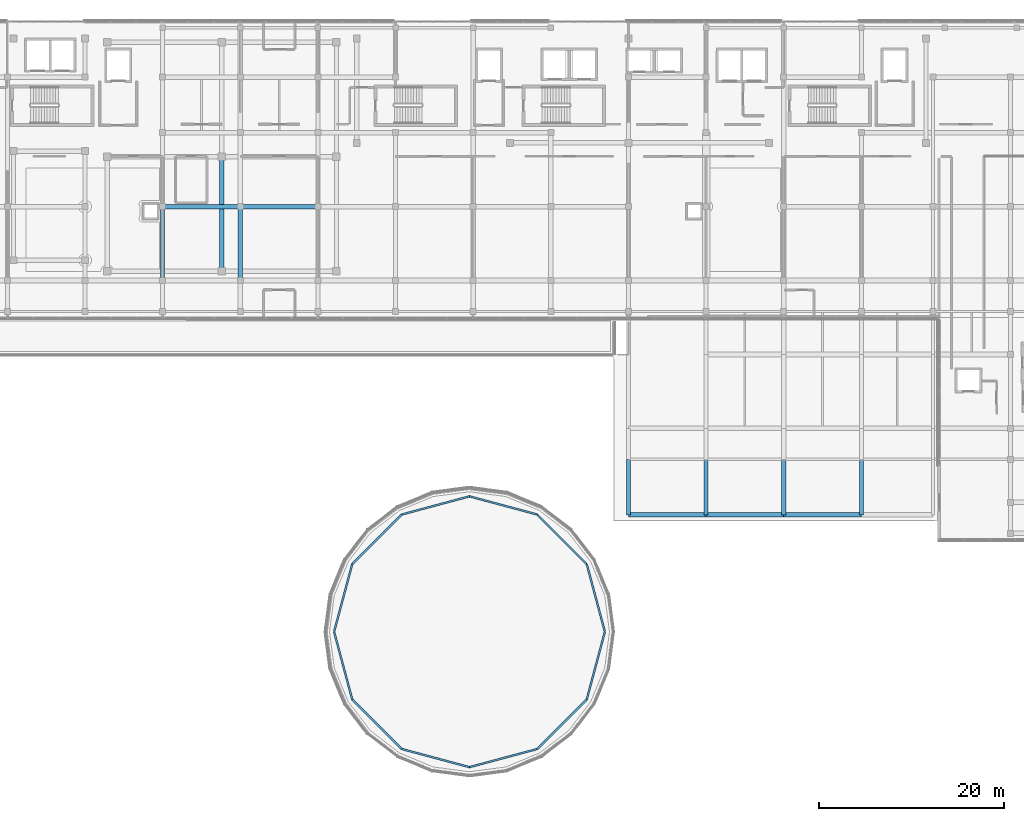
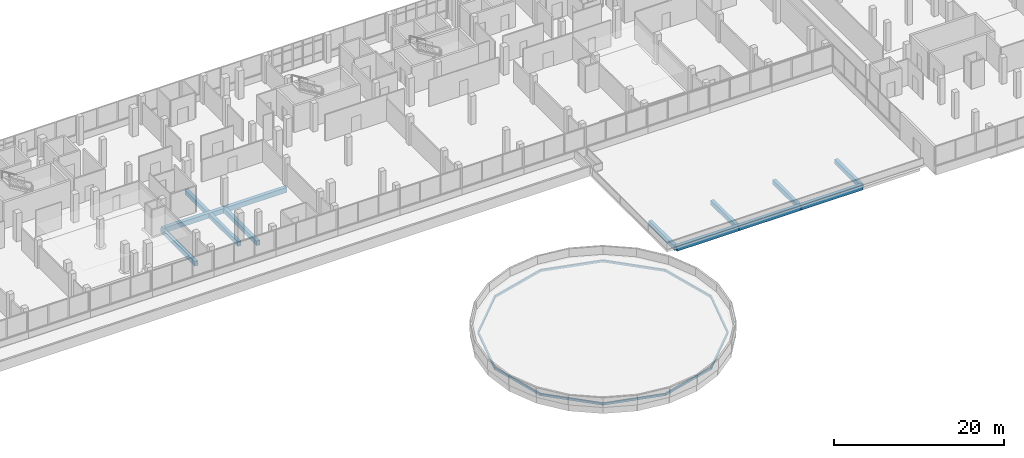
# One storey, part 12 of 78: 24 beams.
"""IFC4 building model written with IfcOpenShell, lengths in metres."""

from ifc_helpers import new_model, si_unit, direction, frame, origin, origin_2d, place, context, subcontext, project, spatial, rectangle, hollow_rectangle, extrude, material, material_profile, profile_set, type_object, element, save


model = new_model("IFC4")

# Units and contexts
model_context = context("Model", 3, precision=1e-05, world=origin(), true_north=direction((0.0, 1.0)))
body_context = subcontext(model_context, "Body", "Model", "MODEL_VIEW")
ifc_project = project(units=[si_unit("LENGTHUNIT", "METRE"), si_unit("AREAUNIT", "SQUARE_METRE"), si_unit("VOLUMEUNIT", "CUBIC_METRE"), si_unit("PLANEANGLEUNIT", "RADIAN"), si_unit("MASSUNIT", "GRAM", prefix="KILO")], contexts=[model_context])

# Site, building, storey
site_placement = place(None, origin())
site = spatial("IfcSite", under=ifc_project, at=site_placement, CompositionType="ELEMENT")
building_placement = place(site_placement, origin())
building = spatial("IfcBuilding", under=site, at=building_placement, Name="Selatvlak General Hospital", CompositionType="ELEMENT")
storey_placement = place(building_placement, frame((0.0, 0.0, 23.25)))
storey = spatial("IfcBuildingStorey", under=building, at=storey_placement, Name="L05", CompositionType="ELEMENT", Elevation=23.25)

# Beams
ifc_material_1 = material(Name="Concrete C40/50", Category="concrete")
ifc_material_profile_1 = material_profile(ifc_material_1, rectangle(XDim=0.5, YDim=0.699951171875, at=origin_2d()), Name="RC-BM 500x700")
ifc_profile_set_1 = profile_set([ifc_material_profile_1], Name="Concrete C40/50")
beam_type_1 = type_object("IfcBeamType", Name="BM-G03", PredefinedType="BEAM", material=ifc_profile_set_1)
beam_1_placement = place(storey_placement, frame((115.199951171875, 66.64990234375, -0.64990234375), z_axis=(1.0, 0.0, 0.0), x_axis=(0.0, 1.0, 0.0)))
element("IfcBeam", 1, at=beam_1_placement, inside=storey, type_object=beam_type_1, Name="Beam BMR-L05-1856", PredefinedType="BEAM", context=body_context, shape_type="SweptSolid", body=[
    extrude(rectangle(XDim=0.5, YDim=0.699951171875, at=origin_2d()), origin(), (0.0, 0.0, 1.0), 8.400146484375),
])
for number, where, z_axis, x_axis, name in (
    (2, (123.60009765625, 66.64990234375, -0.64990234375), (1.0, 0.0, 0.0), (0.0, 1.0, 0.0), "Beam BMR-L05-1857"),
    (3, (132.0, 66.64990234375, -0.64990234375), (1.0, 0.0, 0.0), (0.0, 1.0, 0.0), "Beam BMR-L05-1858"),
    (4, (64.800048828125, 100.0, -0.6298828125), (1.0, 0.0, 0.0), (0.0, 1.0, 0.0), "Beam BMR-L05-1929"),
):
    element("IfcBeam", number, at=place(storey_placement, frame(where, z_axis=z_axis, x_axis=x_axis)), inside=storey, type_object=beam_type_1, Name=name, PredefinedType="BEAM", context=body_context, shape_type="SweptSolid", body=[
        extrude(rectangle(XDim=0.5, YDim=0.699951171875, at=origin_2d()), origin(), (0.0, 0.0, 1.0), 8.39990234375),
    ])
beam_2_placement = place(storey_placement, frame((73.199951171875, 100.0, -0.6298828125), z_axis=(1.0, 0.0, 0.0), x_axis=(0.0, 1.0, 0.0)))
element("IfcBeam", 5, at=beam_2_placement, inside=storey, type_object=beam_type_1, Name="Beam BMR-L05-1930", PredefinedType="BEAM", context=body_context, shape_type="SweptSolid", body=[
    extrude(rectangle(XDim=0.5, YDim=0.699951171875, at=origin_2d()), origin(), (0.0, 0.0, 1.0), 8.400146484375),
])
ifc_material_profile_2 = material_profile(ifc_material_1, rectangle(XDim=0.449951171875, YDim=0.64990234375, at=origin_2d()), Name="RC-BM 450x650")
ifc_profile_set_2 = profile_set([ifc_material_profile_2], Name="Concrete C40/50")
beam_type_2 = type_object("IfcBeamType", Name="BM-G04", PredefinedType="BEAM", material=ifc_profile_set_2)
beam_3_placement = place(storey_placement, frame((64.800048828125, 92.0, -0.60498046875), z_axis=(0.0, 1.0, 0.0), x_axis=(-1.0, 0.0, 0.0)))
element("IfcBeam", 6, at=beam_3_placement, inside=storey, type_object=beam_type_2, Name="Beam BMR-L05-2010", PredefinedType="BEAM", context=body_context, shape_type="SweptSolid", body=[
    extrude(rectangle(XDim=0.449951171875, YDim=0.64990234375, at=origin_2d()), origin(), (0.0, 0.0, 1.0), 8.0),
])
beam_4_placement = place(storey_placement, frame((71.199951171875, 93.0, -0.60498046875), z_axis=(0.0, 1.0, 0.0), x_axis=(-1.0, 0.0, 0.0)))
element("IfcBeam", 7, at=beam_4_placement, inside=storey, type_object=beam_type_2, Name="Beam BMR-L05-2014", PredefinedType="BEAM", context=body_context, shape_type="SweptSolid", body=[
    extrude(rectangle(XDim=0.449951171875, YDim=0.64990234375, at=origin_2d()), origin(), (0.0, 0.0, 1.0), 12.39990234375),
])
beam_5_placement = place(storey_placement, frame((73.199951171875, 92.0, -0.60498046875), z_axis=(0.0, 1.0, 0.0), x_axis=(-1.0, 0.0, 0.0)))
element("IfcBeam", 8, at=beam_5_placement, inside=storey, type_object=beam_type_2, Name="Beam BMR-L05-2017", PredefinedType="BEAM", context=body_context, shape_type="SweptSolid", body=[
    extrude(rectangle(XDim=0.449951171875, YDim=0.64990234375, at=origin_2d()), origin(), (0.0, 0.0, 1.0), 8.0),
])
for number, where, z_axis, x_axis, name in (
    (9, (115.199951171875, 66.64990234375, -0.625), (0.0, 1.0, 0.0), (-1.0, 0.0, 0.0), "Beam BMR-L05-2040"),
    (10, (123.60009765625, 66.64990234375, -0.625), (0.0, 1.0, 0.0), (-1.0, 0.0, 0.0), "Beam BMR-L05-2047"),
    (11, (132.0, 66.64990234375, -0.625), (0.0, 1.0, 0.0), (-1.0, 0.0, 0.0), "Beam BMR-L05-2054"),
    (12, (140.39990234375, 66.64990234375, -0.625), (0.0, 1.0, 0.0), (-1.0, 0.0, 0.0), "Beam BMR-L05-2062"),
):
    element("IfcBeam", number, at=place(storey_placement, frame(where, z_axis=z_axis, x_axis=x_axis)), inside=storey, type_object=beam_type_2, Name=name, PredefinedType="BEAM", context=body_context, shape_type="SweptSolid", body=[
        extrude(rectangle(XDim=0.449951171875, YDim=0.64990234375, at=origin_2d()), origin(), (0.0, 0.0, 1.0), 6.0),
    ])
ifc_material_2 = material(Name="Steel S355", Category="steel")
ifc_material_profile_3 = material_profile(ifc_material_2, hollow_rectangle(XDim=0.199951171875, YDim=0.300048828125, WallThickness=0.011962890625, at=origin_2d()), Name="RHS 300x200x12")
ifc_profile_set_3 = profile_set([ifc_material_profile_3], Name="Steel S355")
beam_type_3 = type_object("IfcBeamType", Name="BM-SP3", PredefinedType="SPANDREL", material=ifc_profile_set_3)
beam_6_placement = place(storey_placement, frame((85.31298828125, 46.675048828125, 0.949951171875), z_axis=(0.707106781187, -0.707106781187, 0.0), x_axis=(0.707106781187, 0.707106781187, 0.0)))
element("IfcBeam", 13, at=beam_6_placement, inside=storey, type_object=beam_type_3, Name="Beam BMR-L05-2862", PredefinedType="SPANDREL", context=body_context, shape_type="SweptSolid", body=[
    extrude(hollow_rectangle(XDim=0.199951171875, YDim=0.300048828125, WallThickness=0.011962890625, at=origin_2d()), origin(), (0.0, 0.0, 1.0), 7.5830078125),
])
for number, where, z_axis, x_axis, name in (
    (14, (90.675048828125, 41.31298828125, 0.949951171875), (0.965920028052, -0.25884068345, 0.0), (0.25884068345, 0.965920028052, 0.0), "Beam BMR-L05-2863"),
    (15, (98.0, 39.35009765625, 0.949951171875), (0.965920028052, 0.25884068345, 0.0), (-0.25884068345, 0.965920028052, 0.0), "Beam BMR-L05-2864"),
):
    element("IfcBeam", number, at=place(storey_placement, frame(where, z_axis=z_axis, x_axis=x_axis)), inside=storey, type_object=beam_type_3, Name=name, PredefinedType="SPANDREL", context=body_context, shape_type="SweptSolid", body=[
        extrude(hollow_rectangle(XDim=0.199951171875, YDim=0.300048828125, WallThickness=0.011962890625, at=origin_2d()), origin(), (0.0, 0.0, 1.0), 7.58349609375),
    ])
beam_7_placement = place(storey_placement, frame((105.324951171875, 41.31298828125, 0.949951171875), z_axis=(0.707106781187, 0.707106781187, 0.0), x_axis=(-0.707106781187, 0.707106781187, 0.0)))
element("IfcBeam", 16, at=beam_7_placement, inside=storey, type_object=beam_type_3, Name="Beam BMR-L05-2865", PredefinedType="SPANDREL", context=body_context, shape_type="SweptSolid", body=[
    extrude(hollow_rectangle(XDim=0.199951171875, YDim=0.300048828125, WallThickness=0.011962890625, at=origin_2d()), origin(), (0.0, 0.0, 1.0), 7.5830078125),
])
for number, where, z_axis, x_axis, name in (
    (17, (110.68701171875, 46.675048828125, 0.949951171875), (0.25884068345, 0.965920028052, 0.0), (-0.965920028052, 0.25884068345, 0.0), "Beam BMR-L05-2866"),
    (18, (112.64990234375, 54.0, 0.949951171875), (-0.25884068345, 0.965920028052, 0.0), (-0.965920028052, -0.25884068345, 0.0), "Beam BMR-L05-2867"),
):
    element("IfcBeam", number, at=place(storey_placement, frame(where, z_axis=z_axis, x_axis=x_axis)), inside=storey, type_object=beam_type_3, Name=name, PredefinedType="SPANDREL", context=body_context, shape_type="SweptSolid", body=[
        extrude(hollow_rectangle(XDim=0.199951171875, YDim=0.300048828125, WallThickness=0.011962890625, at=origin_2d()), origin(), (0.0, 0.0, 1.0), 7.58349609375),
    ])
beam_8_placement = place(storey_placement, frame((110.68701171875, 61.324951171875, 0.949951171875), z_axis=(-0.707106781187, 0.707106781187, 0.0), x_axis=(-0.707106781187, -0.707106781187, 0.0)))
element("IfcBeam", 19, at=beam_8_placement, inside=storey, type_object=beam_type_3, Name="Beam BMR-L05-2868", PredefinedType="SPANDREL", context=body_context, shape_type="SweptSolid", body=[
    extrude(hollow_rectangle(XDim=0.199951171875, YDim=0.300048828125, WallThickness=0.011962890625, at=origin_2d()), origin(), (0.0, 0.0, 1.0), 7.5830078125),
])
for number, where, z_axis, x_axis, name in (
    (20, (105.324951171875, 66.68701171875, 0.949951171875), (-0.965920028052, 0.25884068345, 0.0), (-0.25884068345, -0.965920028052, 0.0), "Beam BMR-L05-2869"),
    (21, (98.0, 68.64990234375, 0.949951171875), (-0.965920028052, -0.25884068345, 0.0), (0.25884068345, -0.965920028052, 0.0), "Beam BMR-L05-2870"),
):
    element("IfcBeam", number, at=place(storey_placement, frame(where, z_axis=z_axis, x_axis=x_axis)), inside=storey, type_object=beam_type_3, Name=name, PredefinedType="SPANDREL", context=body_context, shape_type="SweptSolid", body=[
        extrude(hollow_rectangle(XDim=0.199951171875, YDim=0.300048828125, WallThickness=0.011962890625, at=origin_2d()), origin(), (0.0, 0.0, 1.0), 7.58349609375),
    ])
beam_9_placement = place(storey_placement, frame((90.675048828125, 66.68701171875, 0.949951171875), z_axis=(-0.707106781187, -0.707106781187, 0.0), x_axis=(0.707106781187, -0.707106781187, 0.0)))
element("IfcBeam", 22, at=beam_9_placement, inside=storey, type_object=beam_type_3, Name="Beam BMR-L05-2871", PredefinedType="SPANDREL", context=body_context, shape_type="SweptSolid", body=[
    extrude(hollow_rectangle(XDim=0.199951171875, YDim=0.300048828125, WallThickness=0.011962890625, at=origin_2d()), origin(), (0.0, 0.0, 1.0), 7.5830078125),
])
for number, where, z_axis, x_axis, name in (
    (23, (85.31298828125, 61.324951171875, 0.949951171875), (-0.25884068345, -0.965920028052, 0.0), (0.965920028052, -0.25884068345, 0.0), "Beam BMR-L05-2872"),
    (24, (83.35009765625, 54.0, 0.949951171875), (0.25884068345, -0.965920028052, 0.0), (0.965920028052, 0.25884068345, 0.0), "Beam BMR-L05-2873"),
):
    element("IfcBeam", number, at=place(storey_placement, frame(where, z_axis=z_axis, x_axis=x_axis)), inside=storey, type_object=beam_type_3, Name=name, PredefinedType="SPANDREL", context=body_context, shape_type="SweptSolid", body=[
        extrude(hollow_rectangle(XDim=0.199951171875, YDim=0.300048828125, WallThickness=0.011962890625, at=origin_2d()), origin(), (0.0, 0.0, 1.0), 7.58349609375),
    ])

save(model, "model.ifc")
